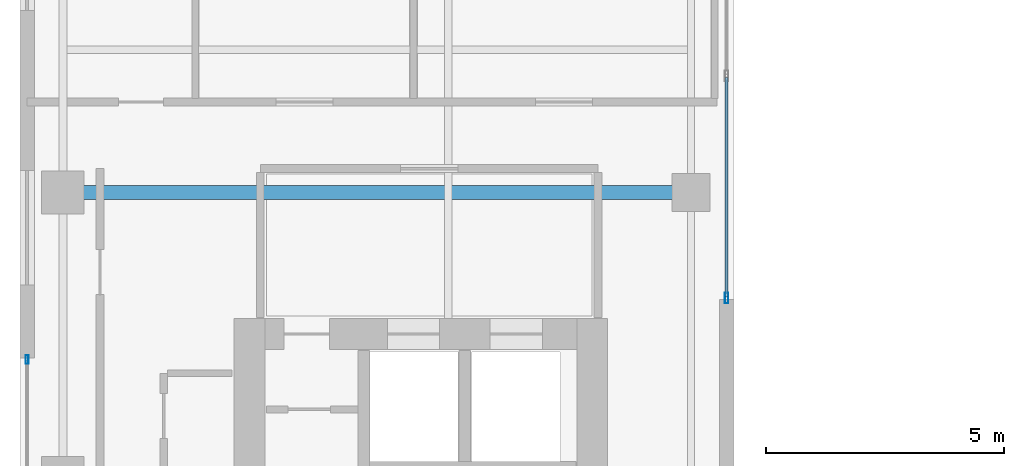
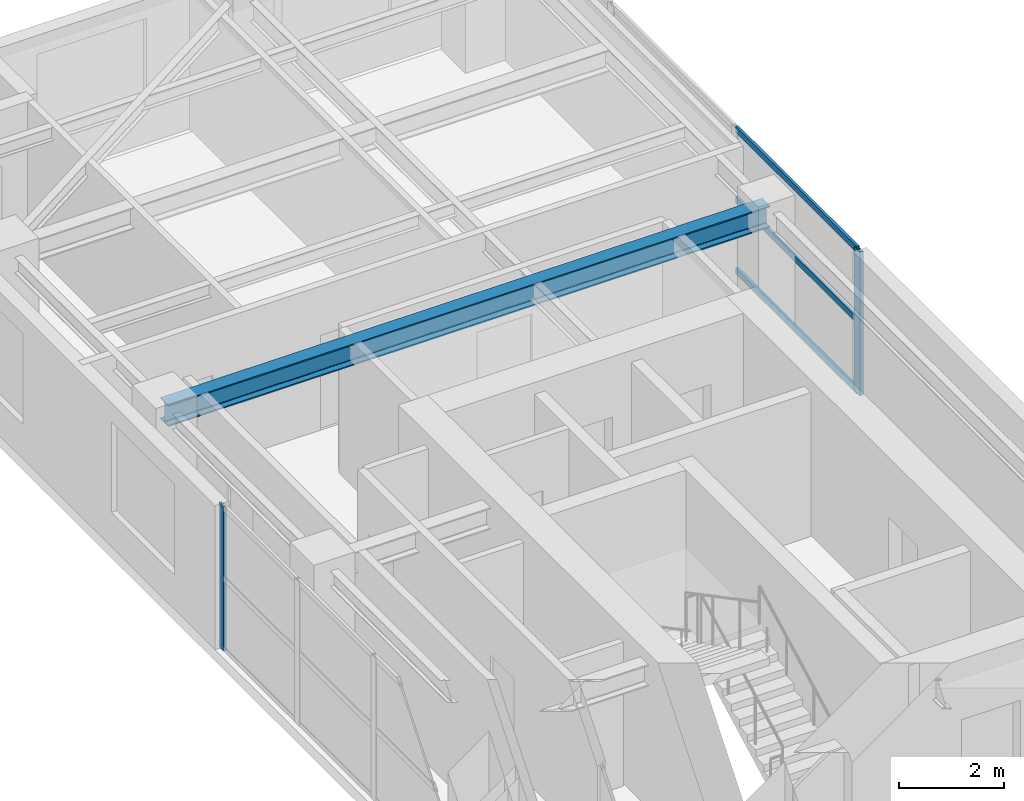
# One storey, part 7 of 21: 5 members, 1 beam, 2 elements without a shape of their own.
"""IFC4 building model written with IfcOpenShell, lengths in metres."""

from ifc_helpers import new_model, si_unit, direction, frame, origin, origin_2d, place, context, subcontext, project, spatial, hollow_rectangle, i_section, extrude, source, transform, mapped, material, layer, layer_set, material_profile, profile_set, type_object, element, aggregate, save


model = new_model("IFC4")

# Units and contexts
model_context = context("Model", 3, precision=1e-05, world=origin(), true_north=direction((0.0, 1.0)))
body_context = subcontext(model_context, "Body", "Model", "MODEL_VIEW")
ifc_project = project(units=[si_unit("LENGTHUNIT", "METRE"), si_unit("AREAUNIT", "SQUARE_METRE"), si_unit("VOLUMEUNIT", "CUBIC_METRE"), si_unit("PLANEANGLEUNIT", "RADIAN"), si_unit("MASSUNIT", "GRAM", prefix="KILO")], contexts=[model_context])

# Site, building, storey
site_placement = place(None, origin())
site = spatial("IfcSite", under=ifc_project, at=site_placement, CompositionType="ELEMENT")
building_placement = place(site_placement, origin())
building = spatial("IfcBuilding", under=site, at=building_placement, Name="Khoralis Quay Care Tower", CompositionType="ELEMENT")
storey_placement = place(building_placement, frame((0.0, 0.0, 206.10009765625)))
storey = spatial("IfcBuildingStorey", under=building, at=storey_placement, Name="L54", CompositionType="ELEMENT", Elevation=206.10009765625)

# Beam
ifc_material_1 = material(Name="Steel S355", Category="steel")
ifc_material_profile_1 = material_profile(ifc_material_1, i_section(OverallWidth=0.300048828125, OverallDepth=0.5, WebThickness=0.014404296875, FlangeThickness=0.028076171875, FilletRadius=0.027099609375, at=origin_2d()), Name="Steel S355")
ifc_profile_set_1 = profile_set([ifc_material_profile_1], Name="Steel S355")
beam_type = type_object("IfcBeamType", Name="BM-HEB500", PredefinedType="BEAM", material=ifc_profile_set_1)
shared_shape_1 = source(origin(), body_context, "Body", "SweptSolid", [
    extrude(i_section(OverallWidth=0.300048828125, OverallDepth=0.5, WebThickness=0.014404296875, FlangeThickness=0.028076171875, FilletRadius=0.027099609375, at=origin_2d()), origin(), (0.0, 0.0, 1.0), 13.2001953125),
])
beam_placement = place(storey_placement, frame((3.89990234375, 30.0, 3.08984375), z_axis=(1.0, 0.0, 0.0), x_axis=(0.0, 1.0, 0.0)))
element("IfcBeam", 1, at=beam_placement, inside=storey, type_object=beam_type, Name="BM-TGXW-L54-300", PredefinedType="BEAM", context=body_context, shape_type="MappedRepresentation", body=[
    mapped(shared_shape_1, transform((0.0, 0.0, 0.0), scale=1.0)),
])

# Curtain wall, member
ifc_material_2 = material(Name="Pale anodised aluminium", Category="aluminium")
ifc_layer_1 = layer(ifc_material_2, 0.159912109375)
ifc_layer_set_1 = layer_set([ifc_layer_1], Name="Pale anodised aluminium")
curtain_wall_type_1 = type_object("IfcCurtainWallType", Name="CW-SYS-Z3", PredefinedType="NOTDEFINED", material=ifc_layer_set_1)
curtain_wall_1_placement = place(storey_placement, origin())
curtain_wall_1 = element("IfcCurtainWall", 2, at=curtain_wall_1_placement, inside=storey, type_object=curtain_wall_type_1, Name="L54 Unitised Curtain Wall CW-L54-P1-E7", PredefinedType="NOTDEFINED")
ifc_material_profile_2 = material_profile(ifc_material_2, hollow_rectangle(XDim=0.06494140625, YDim=0.179931640625, WallThickness=0.00390625, at=origin_2d()), Name="Pale anodised aluminium")
ifc_profile_set_2 = profile_set([ifc_material_profile_2], Name="Pale anodised aluminium")
member_type_1 = type_object("IfcMemberType", Name="CW-MUL-180", PredefinedType="MULLION", material=ifc_profile_set_2)
shared_shape_2 = source(origin(), body_context, "Body", "SweptSolid", [
    extrude(hollow_rectangle(XDim=0.06494140625, YDim=0.179931640625, WallThickness=0.00390625, at=origin_2d()), origin(), (0.0, 0.0, 1.0), 3.33984375),
])
member_1_placement = place(storey_placement, frame((3.14990234375, 26.489990234375, 0.0), z_axis=(0.0, 0.0, 1.0), x_axis=(1.0, 0.0, 0.0)))
member_1 = element("IfcMember", 3, at=member_1_placement, type_object=member_type_1, Name="CW3 mullion 1", PredefinedType="MULLION", context=body_context, shape_type="MappedRepresentation", body=[
    mapped(shared_shape_2, transform((0.0, 0.0, 0.0), scale=1.0)),
])
aggregate(curtain_wall_1, [member_1])

# Curtain wall, members
ifc_layer_2 = layer(ifc_material_2, 0.18994140625)
ifc_layer_set_2 = layer_set([ifc_layer_2], Name="Pale anodised aluminium")
curtain_wall_type_2 = type_object("IfcCurtainWallType", Name="CW-SYS-PORTAL", PredefinedType="NOTDEFINED", material=ifc_layer_set_2)
curtain_wall_2_placement = place(storey_placement, origin())
curtain_wall_2 = element("IfcCurtainWall", 4, at=curtain_wall_2_placement, inside=storey, type_object=curtain_wall_type_2, Name="L54 Unitised Curtain Wall CW-VP-L54-P1-N", PredefinedType="NOTDEFINED")
ifc_material_profile_3 = material_profile(ifc_material_2, hollow_rectangle(XDim=0.06005859375, YDim=0.139892578125, WallThickness=0.00390625, at=origin_2d()), Name="Pale anodised aluminium")
ifc_profile_set_3 = profile_set([ifc_material_profile_3], Name="Pale anodised aluminium")
member_type_2 = type_object("IfcMemberType", Name="CW-TRN-140", PredefinedType="USERDEFINED", material=ifc_profile_set_3)
shared_shape_3 = source(origin(), body_context, "Body", "SweptSolid", [
    extrude(hollow_rectangle(XDim=0.06005859375, YDim=0.139892578125, WallThickness=0.00390625, at=origin_2d()), origin(), (0.0, 0.0, 1.0), 4.60986328125),
])
member_2_placement = place(storey_placement, frame((17.85009765625, 27.81005859375, 0.02978515625), z_axis=(0.0, 1.0, 0.0), x_axis=(-1.0, 0.0, 0.0)))
member_2 = element("IfcMember", 5, at=member_2_placement, type_object=member_type_2, Name="CW4 transom 1.1", ObjectType="TRANSOM", PredefinedType="USERDEFINED", context=body_context, shape_type="MappedRepresentation", body=[
    mapped(shared_shape_3, transform((0.0, 0.0, 0.0), scale=1.0)),
])
member_3_placement = place(storey_placement, frame((17.85009765625, 27.81005859375, 1.669921875), z_axis=(0.0, 1.0, 0.0), x_axis=(-1.0, 0.0, 0.0)))
member_3 = element("IfcMember", 6, at=member_3_placement, type_object=member_type_2, Name="CW4 transom 1.2", ObjectType="TRANSOM", PredefinedType="USERDEFINED", context=body_context, shape_type="MappedRepresentation", body=[
    mapped(shared_shape_3, transform((0.0, 0.0, 0.0), scale=1.0)),
])
member_4_placement = place(storey_placement, frame((17.85009765625, 27.81005859375, 3.309814453125), z_axis=(0.0, 1.0, 0.0), x_axis=(-1.0, 0.0, 0.0)))
member_4 = element("IfcMember", 7, at=member_4_placement, type_object=member_type_2, Name="CW4 transom 1.3", ObjectType="TRANSOM", PredefinedType="USERDEFINED", context=body_context, shape_type="MappedRepresentation", body=[
    mapped(shared_shape_3, transform((0.0, 0.0, 0.0), scale=1.0)),
])
ifc_material_profile_4 = material_profile(ifc_material_2, hollow_rectangle(XDim=0.074951171875, YDim=0.219970703125, WallThickness=0.00390625, at=origin_2d()), Name="Pale anodised aluminium")
ifc_profile_set_4 = profile_set([ifc_material_profile_4], Name="Pale anodised aluminium")
member_type_3 = type_object("IfcMemberType", Name="CW-MUL-220", PredefinedType="MULLION", material=ifc_profile_set_4)
shared_shape_4 = source(origin(), body_context, "Body", "SweptSolid", [
    extrude(hollow_rectangle(XDim=0.074951171875, YDim=0.219970703125, WallThickness=0.00390625, at=origin_2d()), origin(), (0.0, 0.0, 1.0), 3.33984375),
])
member_5_placement = place(storey_placement, frame((17.85009765625, 27.780029296875, 0.0), z_axis=(0.0, 0.0, 1.0), x_axis=(-1.0, 0.0, 0.0)))
member_5 = element("IfcMember", 8, at=member_5_placement, type_object=member_type_3, Name="CW4 mullion 1", PredefinedType="MULLION", context=body_context, shape_type="MappedRepresentation", body=[
    mapped(shared_shape_4, transform((0.0, 0.0, 0.0), scale=1.0)),
])
aggregate(curtain_wall_2, [member_5, member_2, member_3, member_4])

save(model, "model.ifc")
